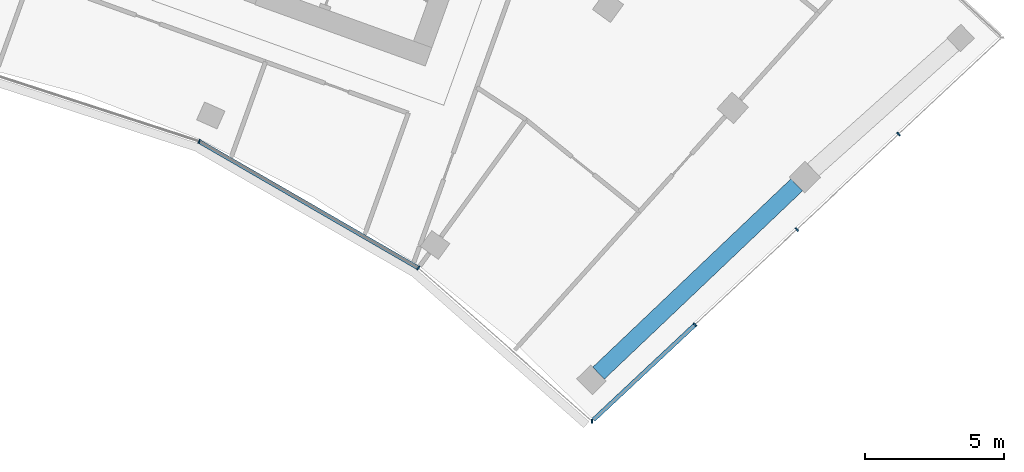
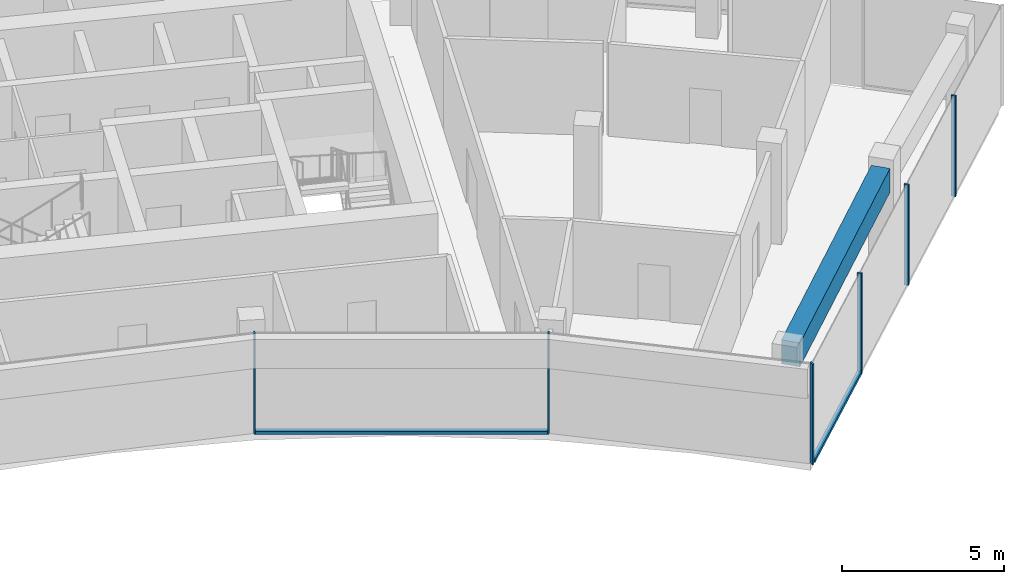
# One storey, part 8 of 18: 8 members, 1 beam, 2 elements without a shape of their own.
"""IFC4 building model written with IfcOpenShell, lengths in metres."""

import ifcopenshell
import ifcopenshell.guid

model = None  # the IFC model being written
_history = None  # IfcOwnerHistory: only IFC2X3 demands one
_inside = {}  # id of a spatial element -> (the spatial element, [elements in it])
_under = {}  # id of a project, library or spatial element -> (it, [spatial elements below it])
_declared = {}  # id of a project -> (the project, [libraries it declares])
_typed = {}  # id of a type object -> (the type object, [elements of that type])
_made_of = {}  # id of a material, layer set ... -> (it, [elements and type objects made of it])


def new_model(schema):
    """Start an empty IFC model of exactly this schema.

    Asked for "IFC4X3", IfcOpenShell would pick the latest addendum, in which some entities
    have other attributes; the version numbers below select the first issue.
    IFC2X3 requires an IfcOwnerHistory on every rooted entity: one is made here for all.
    """
    global model, _history
    if schema == "IFC4X3":
        model = ifcopenshell.file(schema_version=(4, 3, 0, 0))
    else:
        model = ifcopenshell.file(schema=schema)
    _inside.clear()
    _under.clear()
    _declared.clear()
    _typed.clear()
    _made_of.clear()
    _history = None
    if model.schema == "IFC2X3":
        org = make("IfcOrganization", Name="unknown")
        user = make(
            "IfcPersonAndOrganization",
            ThePerson=make("IfcPerson", FamilyName="unknown"),
            TheOrganization=org,
        )
        app = make(
            "IfcApplication",
            ApplicationDeveloper=org,
            Version="unknown",
            ApplicationFullName="unknown",
            ApplicationIdentifier="unknown",
        )
        _history = make(
            "IfcOwnerHistory",
            OwningUser=user,
            OwningApplication=app,
            ChangeAction="ADDED",
            CreationDate=0,
        )
    return model


def make(cls, **values):
    """One entity of the class cls with the attributes given. An attribute that is None is left unset."""
    return model.create_entity(
        cls, **{name: value for name, value in values.items() if value is not None}
    )


def rooted(cls, **values):
    """An entity with a GlobalId (a new one), such as an element, a storey or a relation."""
    return make(cls, GlobalId=ifcopenshell.guid.new(), OwnerHistory=_history, **values)


def si_unit(unit_type, name, prefix=None):
    """IfcSIUnit, for example si_unit("LENGTHUNIT", "METRE", prefix="MILLI")."""
    return make("IfcSIUnit", UnitType=unit_type, Prefix=prefix, Name=name)


def assignment(units):
    """IfcUnitAssignment: the units of a project."""
    return None if units is None else make("IfcUnitAssignment", Units=units)


def point(xyz):
    """IfcCartesianPoint."""
    return None if xyz is None else make("IfcCartesianPoint", Coordinates=xyz)


def direction(xyz):
    """IfcDirection."""
    return None if xyz is None else make("IfcDirection", DirectionRatios=xyz)


def frame(location, z_axis=None, x_axis=None):
    """IfcAxis2Placement3D, a coordinate frame: its origin and axes. An axis left out is left unset."""
    return make(
        "IfcAxis2Placement3D",
        Location=point(location),
        Axis=direction(z_axis),
        RefDirection=direction(x_axis),
    )


def frame_2d(location, x_axis=None):
    """IfcAxis2Placement2D, a coordinate frame in the plane: its origin and x axis."""
    return make(
        "IfcAxis2Placement2D", Location=point(location), RefDirection=direction(x_axis)
    )


def origin():
    """The frame at (0, 0, 0) with its axes left unset."""
    return frame((0.0, 0.0, 0.0))


def origin_2d():
    """The frame at (0, 0) in the plane with its x axis left unset."""
    return frame_2d((0.0, 0.0))


def place(relative_to, where):
    """IfcLocalPlacement: puts the frame where relative to a parent placement (None: the world)."""
    return make(
        "IfcLocalPlacement", PlacementRelTo=relative_to, RelativePlacement=where
    )


def context(
    kind, dimensions, precision=None, world=None, true_north=None, identifier=None
):
    """IfcGeometricRepresentationContext, for example the 3D "Model" context."""
    return make(
        "IfcGeometricRepresentationContext",
        ContextIdentifier=identifier,
        ContextType=kind,
        CoordinateSpaceDimension=dimensions,
        Precision=precision,
        WorldCoordinateSystem=world,
        TrueNorth=true_north,
    )


def subcontext(parent, identifier, kind, view, scale=None):
    """IfcGeometricRepresentationSubContext, for example "Body" below "Model"."""
    return make(
        "IfcGeometricRepresentationSubContext",
        ContextIdentifier=identifier,
        ContextType=kind,
        ParentContext=parent,
        TargetScale=scale,
        TargetView=view,
    )


def project(units=None, contexts=None):
    """IfcProject with its units and contexts."""
    return rooted(
        "IfcProject",
        Name="project",
        RepresentationContexts=contexts,
        UnitsInContext=assignment(units),
    )


def spatial(cls, under=None, at=None, **own):
    """A site, building, storey or space (cls), placed at a placement, below another one or the project."""
    s = rooted(cls, ObjectPlacement=at, **own)
    if under is not None:
        _under.setdefault(under.id(), (under, []))[1].append(s)
    return s


def profile(cls, at=None, kind="AREA", **sizes):
    """A parametric profile (cls). Its sizes go by their IFC names, for example OverallWidth=200.0."""
    return make(cls, ProfileType=kind, Position=at, **sizes)


def rectangle(**sizes):
    """IfcRectangleProfileDef."""
    return profile("IfcRectangleProfileDef", **sizes)


def extrude(swept, where, along, depth):
    """IfcExtrudedAreaSolid: the profile swept, set in the frame where, extruded along a direction by depth."""
    return make(
        "IfcExtrudedAreaSolid",
        SweptArea=swept,
        Position=where,
        ExtrudedDirection=direction(along),
        Depth=depth,
    )


def shape(context_of_items, identifier, shape_type, items):
    """IfcShapeRepresentation: the items that make up one representation, for example the "Body"."""
    return make(
        "IfcShapeRepresentation",
        ContextOfItems=context_of_items,
        RepresentationIdentifier=identifier,
        RepresentationType=shape_type,
        Items=items,
    )


def material(Name=None, Category=None):
    """IfcMaterial."""
    return make("IfcMaterial", Name=Name, Category=Category)


def layer(
    of_material, thickness, ventilated=None, Name=None, Category=None, Priority=None
):
    """IfcMaterialLayer: one layer of a wall or slab, of a material (None: an air gap)."""
    return make(
        "IfcMaterialLayer",
        Material=of_material,
        LayerThickness=thickness,
        IsVentilated=ventilated,
        Name=Name,
        Category=Category,
        Priority=Priority,
    )


def layer_set(layers, Name=None):
    """IfcMaterialLayerSet."""
    return make("IfcMaterialLayerSet", MaterialLayers=layers, LayerSetName=Name)


def material_profile(
    of_material, cross_section, Name=None, Category=None, Priority=None
):
    """IfcMaterialProfile: a cross section and its material."""
    return make(
        "IfcMaterialProfile",
        Name=Name,
        Material=of_material,
        Profile=cross_section,
        Priority=Priority,
        Category=Category,
    )


def profile_set(profiles, Name=None, composite=None):
    """IfcMaterialProfileSet."""
    return make(
        "IfcMaterialProfileSet",
        Name=Name,
        MaterialProfiles=profiles,
        CompositeProfile=composite,
    )


def made_of(thing, what):
    """Note that an element or type object is made of a material, layer set ...; save() writes the relation."""
    if what is not None:
        _made_of.setdefault(what.id(), (what, []))[1].append(thing)
    return thing


def type_object(cls, material=None, **own):
    """A type object (cls), such as IfcWallType, which elements share."""
    return made_of(rooted(cls, **own), material)


def element(
    cls,
    number,
    at=None,
    inside=None,
    cuts=None,
    type_object=None,
    material=None,
    context=None,
    identifier="Body",
    shape_type=None,
    held_by="IfcProductDefinitionShape",
    body=None,
    shapes=None,
    **own,
):
    """One element of the class cls, such as IfcWall. Its Tag is "e" and its number.

    at: its placement. inside: the storey or other place that contains it. cuts: it is an
    opening in that element (IfcRelVoidsElement). A single representation is given by context,
    identifier, shape_type and body (its items); several are given by shapes. held_by: the class
    of the entity that holds the representations. save() writes the other relations.
    """
    e = rooted(cls, Tag="e%d" % number, ObjectPlacement=at, **own)
    if body is not None:
        shapes = [shape(context, identifier, shape_type, body)]
    if shapes is not None:
        e.Representation = make(held_by, Representations=shapes)
    if inside is not None:
        _inside.setdefault(inside.id(), (inside, []))[1].append(e)
    if cuts is not None:
        rooted(
            "IfcRelVoidsElement", RelatingBuildingElement=cuts, RelatedOpeningElement=e
        )
    if type_object is not None:
        _typed.setdefault(type_object.id(), (type_object, []))[1].append(e)
    return made_of(e, material)


def aggregate(whole, parts):
    """IfcRelAggregates: a whole, such as a stair, and the parts it consists of."""
    return rooted("IfcRelAggregates", RelatingObject=whole, RelatedObjects=parts)


def save(model, path):
    """Write the relations noted so far, then the file.

    IfcRelAggregates (storeys below a building ...), IfcRelContainedInSpatialStructure (elements
    in a storey), IfcRelDefinesByType, IfcRelAssociatesMaterial and IfcRelDeclares: one each for
    every whole, place, type object, material and project.
    """
    for whole, parts in _under.values():
        aggregate(whole, parts)
    for where, things in _inside.values():
        rooted(
            "IfcRelContainedInSpatialStructure",
            RelatedElements=things,
            RelatingStructure=where,
        )
    for kind, things in _typed.values():
        rooted("IfcRelDefinesByType", RelatedObjects=things, RelatingType=kind)
    for what, things in _made_of.values():
        rooted("IfcRelAssociatesMaterial", RelatedObjects=things, RelatingMaterial=what)
    for by, libraries in _declared.values():
        rooted("IfcRelDeclares", RelatingContext=by, RelatedDefinitions=libraries)
    model.write(path)


model = new_model("IFC4")

# Units and contexts
model_context = context("Model", 3, precision=1e-05, world=origin(), true_north=direction((0.0, 1.0)))
body_context = subcontext(model_context, "Body", "Model", "MODEL_VIEW")
ifc_project = project(units=[si_unit("LENGTHUNIT", "METRE"), si_unit("AREAUNIT", "SQUARE_METRE"), si_unit("VOLUMEUNIT", "CUBIC_METRE"), si_unit("PLANEANGLEUNIT", "RADIAN"), si_unit("MASSUNIT", "GRAM", prefix="KILO")], contexts=[model_context])

# Site, building, storey
site_placement = place(None, origin())
site = spatial("IfcSite", under=ifc_project, at=site_placement, CompositionType="ELEMENT")
building_placement = place(site_placement, origin())
building = spatial("IfcBuilding", under=site, at=building_placement, Name="Stone Belt Terrace Tower", CompositionType="ELEMENT")
storey_placement = place(building_placement, frame((0.0, 0.0, 261.800048828125)))
storey = spatial("IfcBuildingStorey", under=building, at=storey_placement, Name="L63", CompositionType="ELEMENT", Elevation=261.800048828125)

# Curtain wall, members
ifc_material_1 = material(Name="Aluminium 6063-T6 anodised frame", Category="aluminium")
ifc_layer_1 = layer(ifc_material_1, 0.14990234375)
ifc_layer_set_1 = layer_set([ifc_layer_1], Name="CW-B unitised concave-face curtain wall")
curtain_wall_type_1 = type_object("IfcCurtainWallType", Name="CW-B unitised concave-face curtain wall", PredefinedType="NOTDEFINED", material=ifc_layer_set_1)
curtain_wall_1_placement = place(storey_placement, origin())
curtain_wall_1 = element("IfcCurtainWall", 1, at=curtain_wall_1_placement, inside=storey, type_object=curtain_wall_type_1, Name="CW-B concave face L63", PredefinedType="NOTDEFINED")
ifc_material_profile_1 = material_profile(ifc_material_1, rectangle(XDim=0.14990234375, YDim=0.050048828125, at=origin_2d()), Name="Aluminium 6063-T6 50x150")
ifc_profile_set_1 = profile_set([ifc_material_profile_1], Name="Aluminium 6063-T6 anodised frame")
member_type_1 = type_object("IfcMemberType", Name="CW-B mullion 50 x 150", PredefinedType="MULLION", material=ifc_profile_set_1)
member_1_placement = place(storey_placement, frame((17.662353515625, 39.67041015625, 0.0), z_axis=(0.0, 0.0, 1.0), x_axis=(0.406736643076, 0.913545457643, 0.0)))
member_1 = element("IfcMember", 2, at=member_1_placement, type_object=member_type_1, Name="CW-B mullion 7", PredefinedType="MULLION", context=body_context, shape_type="SweptSolid", body=[
    extrude(rectangle(XDim=0.14990234375, YDim=0.050048828125, at=origin_2d()), origin(), (0.0, 0.0, 1.0), 3.800048828125),
])
member_2_placement = place(storey_placement, frame((25.524658203125, 35.131103515625, 0.0), z_axis=(0.0, 0.0, 1.0), x_axis=(0.583818854632, 0.811883947973, 0.0)))
member_2 = element("IfcMember", 3, at=member_2_placement, type_object=member_type_1, Name="CW-B mullion 8", PredefinedType="MULLION", context=body_context, shape_type="SweptSolid", body=[
    extrude(rectangle(XDim=0.14990234375, YDim=0.050048828125, at=origin_2d()), origin(), (0.0, 0.0, 1.0), 3.800048828125),
])
ifc_material_profile_2 = material_profile(ifc_material_1, rectangle(XDim=0.14990234375, YDim=0.1201171875, at=origin_2d()), Name="Aluminium 6063-T6 150x120")
ifc_profile_set_2 = profile_set([ifc_material_profile_2], Name="Aluminium 6063-T6 anodised frame")
member_type_2 = type_object("IfcMemberType", Name="CW-B transom 120 x 150", PredefinedType="USERDEFINED", material=ifc_profile_set_2)
member_3_placement = place(storey_placement, frame((17.690673828125, 39.654052734375, 0.06005859375), z_axis=(0.866020948727, -0.500007716307, 0.0), x_axis=(0.500007716307, 0.866020948727, 0.0)))
member_3 = element("IfcMember", 4, at=member_3_placement, type_object=member_type_2, Name="CW-B transom 7.1", ObjectType="TRANSOM", PredefinedType="USERDEFINED", context=body_context, shape_type="SweptSolid", body=[
    extrude(rectangle(XDim=0.14990234375, YDim=0.1201171875, at=origin_2d()), origin(), (0.0, 0.0, 1.0), 9.013427734375),
])
aggregate(curtain_wall_1, [member_1, member_2, member_3])

ifc_layer_2 = layer(ifc_material_1, 0.14990234375)
ifc_layer_set_2 = layer_set([ifc_layer_2], Name="CW-C stick curtain wall, horn ends and notches")
curtain_wall_type_2 = type_object("IfcCurtainWallType", Name="CW-C stick curtain wall, horn ends and notches", PredefinedType="NOTDEFINED", material=ifc_layer_set_2)
curtain_wall_2_placement = place(storey_placement, origin())
curtain_wall_2 = element("IfcCurtainWall", 5, at=curtain_wall_2_placement, inside=storey, type_object=curtain_wall_type_2, Name="CW-C end face L63", PredefinedType="NOTDEFINED")
ifc_material_profile_3 = material_profile(ifc_material_1, rectangle(XDim=0.14990234375, YDim=0.06005859375, at=origin_2d()), Name="Aluminium 6063-T6 60x150")
ifc_profile_set_3 = profile_set([ifc_material_profile_3], Name="Aluminium 6063-T6 anodised frame")
member_type_3 = type_object("IfcMemberType", Name="CW-C mullion 60 x 150", PredefinedType="MULLION", material=ifc_profile_set_3)
member_4_placement = place(storey_placement, frame((31.75244140625, 29.633056640625, 0.0), z_axis=(0.0, 0.0, 1.0), x_axis=(-0.014681639593, 0.999892218921, 0.0)))
member_4 = element("IfcMember", 6, at=member_4_placement, type_object=member_type_3, Name="CW-C mullion 1", PredefinedType="MULLION", context=body_context, shape_type="SweptSolid", body=[
    extrude(rectangle(XDim=0.14990234375, YDim=0.06005859375, at=origin_2d()), origin(), (0.0, 0.0, 1.0), 3.800048828125),
])
member_5_placement = place(storey_placement, frame((35.45166015625, 33.097412109375, 0.0), z_axis=(0.0, 0.0, 1.0), x_axis=(-0.683549434973, 0.729904219708, 0.0)))
member_5 = element("IfcMember", 7, at=member_5_placement, type_object=member_type_3, Name="CW-C mullion 2", PredefinedType="MULLION", context=body_context, shape_type="SweptSolid", body=[
    extrude(rectangle(XDim=0.14990234375, YDim=0.06005859375, at=origin_2d()), origin(), (0.0, 0.0, 1.0), 3.800048828125),
])
member_6_placement = place(storey_placement, frame((39.10107421875, 36.51513671875, 0.0), z_axis=(0.0, 0.0, 1.0), x_axis=(-0.683549434973, 0.729904219708, 0.0)))
member_6 = element("IfcMember", 8, at=member_6_placement, type_object=member_type_3, Name="CW-C mullion 3", PredefinedType="MULLION", context=body_context, shape_type="SweptSolid", body=[
    extrude(rectangle(XDim=0.14990234375, YDim=0.06005859375, at=origin_2d()), origin(), (0.0, 0.0, 1.0), 3.800048828125),
])
member_7_placement = place(storey_placement, frame((42.750732421875, 39.932861328125, 0.0), z_axis=(0.0, 0.0, 1.0), x_axis=(-0.683549434973, 0.729904219708, 0.0)))
member_7 = element("IfcMember", 9, at=member_7_placement, type_object=member_type_3, Name="CW-C mullion 4", PredefinedType="MULLION", context=body_context, shape_type="SweptSolid", body=[
    extrude(rectangle(XDim=0.14990234375, YDim=0.06005859375, at=origin_2d()), origin(), (0.0, 0.0, 1.0), 3.800048828125),
])
ifc_material_profile_4 = material_profile(ifc_material_1, rectangle(XDim=0.14990234375, YDim=0.1201171875, at=origin_2d()), Name="Aluminium 6063-T6 150x120")
ifc_profile_set_4 = profile_set([ifc_material_profile_4], Name="Aluminium 6063-T6 anodised frame")
member_type_4 = type_object("IfcMemberType", Name="CW-C transom 120 x 150", PredefinedType="USERDEFINED", material=ifc_profile_set_4)
member_8_placement = place(storey_placement, frame((31.805419921875, 29.6826171875, 0.06005859375), z_axis=(0.72988516347, 0.683569782938, 0.0), x_axis=(-0.683569782938, 0.72988516347, 0.0)))
member_8 = element("IfcMember", 10, at=member_8_placement, type_object=member_type_4, Name="CW-C transom 1.1", ObjectType="TRANSOM", PredefinedType="USERDEFINED", context=body_context, shape_type="SweptSolid", body=[
    extrude(rectangle(XDim=0.14990234375, YDim=0.1201171875, at=origin_2d()), origin(), (0.0, 0.0, 1.0), 4.965576171875),
])
aggregate(curtain_wall_2, [member_4, member_5, member_6, member_7, member_8])

# Beam
ifc_material_2 = material(Name="Concrete B60", Category="concrete")
ifc_material_profile_5 = material_profile(ifc_material_2, rectangle(XDim=0.60009765625, YDim=0.89990234375, at=origin_2d()), Name="RC 600x900")
ifc_profile_set_5 = profile_set([ifc_material_profile_5], Name="Concrete B60")
beam_type = type_object("IfcBeamType", Name="Edge beam RC 600x900 B60", PredefinedType="SPANDREL", material=ifc_profile_set_5)
beam_placement = place(storey_placement, frame((31.98876953125, 31.35791015625, 3.030029296875), z_axis=(0.72502367576, 0.688723942946, 0.0), x_axis=(-0.688723942946, 0.72502367576, 0.0)))
element("IfcBeam", 11, at=beam_placement, inside=storey, type_object=beam_type, Name="Edge beam L63 B P to Q", PredefinedType="SPANDREL", context=body_context, shape_type="SweptSolid", body=[
    extrude(rectangle(XDim=0.60009765625, YDim=0.89990234375, at=origin_2d()), origin(), (0.0, 0.0, 1.0), 9.80615234375),
])

save(model, "model.ifc")
